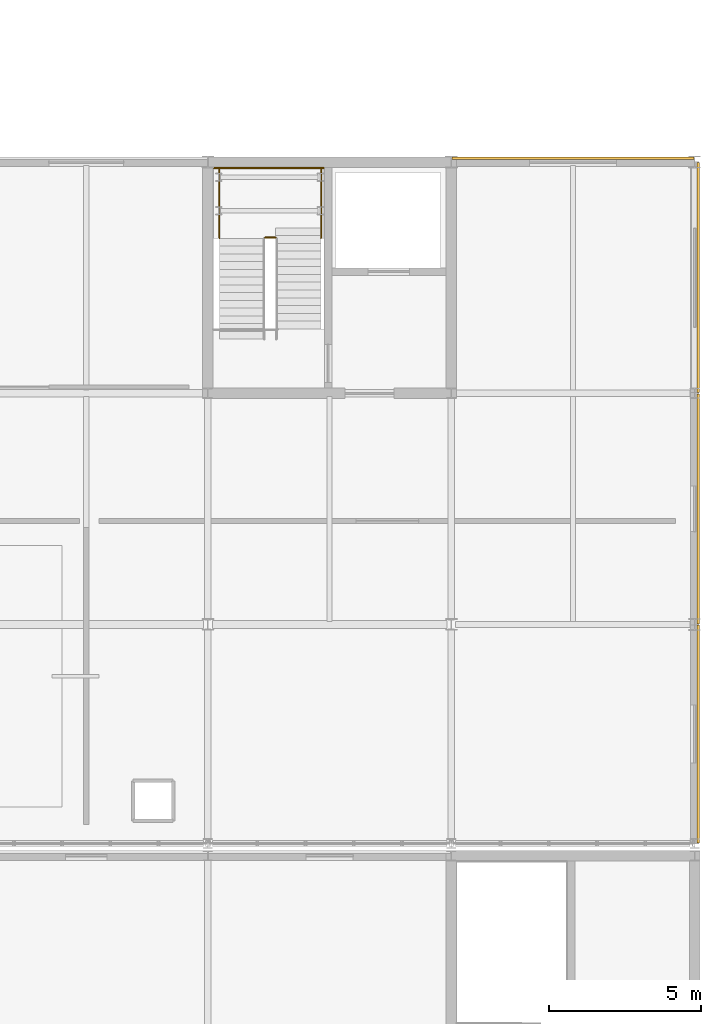
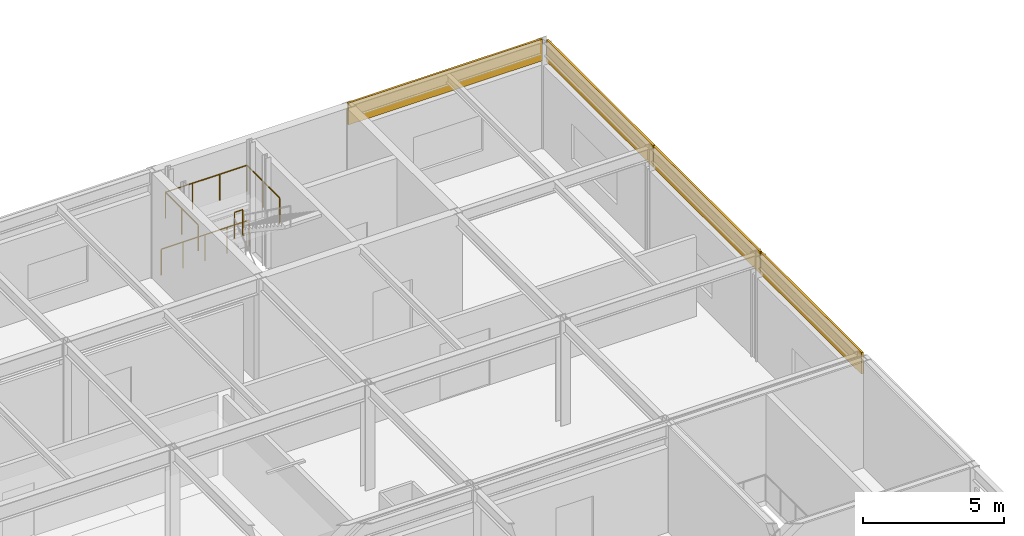
# One storey, part 104 of 104: 4 coverings, 3 railings.
"""IFC4 building model written with IfcOpenShell, lengths in metres."""

from ifc_helpers import new_model, si_unit, direction, frame, origin, origin_2d, place, context, subcontext, project, spatial, rectangle, circle, extrude, material, layer, layer_set, type_object, element, save


model = new_model("IFC4")

# Units and contexts
model_context = context("Model", 3, precision=1e-05, world=origin(), true_north=direction((0.0, 1.0)))
body_context = subcontext(model_context, "Body", "Model", "MODEL_VIEW")
ifc_project = project(units=[si_unit("LENGTHUNIT", "METRE"), si_unit("AREAUNIT", "SQUARE_METRE"), si_unit("VOLUMEUNIT", "CUBIC_METRE"), si_unit("PLANEANGLEUNIT", "RADIAN"), si_unit("MASSUNIT", "GRAM", prefix="KILO")], contexts=[model_context])

# Site, building, storey
site_placement = place(None, origin())
site = spatial("IfcSite", under=ifc_project, at=site_placement, CompositionType="ELEMENT")
building_placement = place(site_placement, origin())
building = spatial("IfcBuilding", under=site, at=building_placement, Name="Zulena Civic Courthouse", CompositionType="ELEMENT")
storey_placement = place(building_placement, frame((0.0, 0.0, 15.60009765625)))
storey = spatial("IfcBuildingStorey", under=building, at=storey_placement, Name="L03", CompositionType="ELEMENT", Elevation=15.60009765625)

# Railings
ifc_material_1 = material(Name="Brushed architectural steel ASTM A36", Category="steel")
railing_type = type_object("IfcRailingType", Name="InteriorGuardrail_1150", PredefinedType="GUARDRAIL", material=ifc_material_1)
railing_1_placement = place(storey_placement, frame((156.199951171875, 53.010009765625, 0.0)))
element("IfcRailing", 1, at=railing_1_placement, inside=storey, type_object=railing_type, Name="gr:wellN:K3B:L02", PredefinedType="GUARDRAIL", context=body_context, shape_type="SweptSolid", body=[
    extrude(circle(Radius=0.02392578125, at=origin_2d()), frame((0.00390625, 0.0, 1.1259765625), z_axis=(1.0, 0.0, 0.0), x_axis=(0.0, 1.0, 0.0)), (0.0, 0.0, 1.0), 3.592041015625),
    extrude(circle(Radius=0.02099609375, at=origin_2d()), origin(), (0.0, 0.0, 1.0), 1.097900390625),
    extrude(circle(Radius=0.02099609375, at=origin_2d()), frame((0.89990234375, 0.0, 0.0)), (0.0, 0.0, 1.0), 1.097900390625),
    extrude(circle(Radius=0.02099609375, at=origin_2d()), frame((1.800048828125, 0.0, 0.0)), (0.0, 0.0, 1.0), 1.097900390625),
    extrude(circle(Radius=0.02099609375, at=origin_2d()), frame((2.7001953125, 0.0, 0.0)), (0.0, 0.0, 1.0), 1.097900390625),
    extrude(circle(Radius=0.02099609375, at=origin_2d()), frame((3.60009765625, 0.0, 0.0)), (0.0, 0.0, 1.0), 1.097900390625),
])
railing_2_placement = place(storey_placement, frame((156.3798828125, 50.694580078125, 2.39990234375)))
element("IfcRailing", 2, at=railing_2_placement, inside=storey, type_object=railing_type, Name="gr:lnd:K3B:L03", PredefinedType="GUARDRAIL", context=body_context, shape_type="SweptSolid", body=[
    extrude(circle(Radius=0.02392578125, at=origin_2d()), frame((0.0, 0.00390625, 1.1259765625), z_axis=(0.0, 1.0, 0.0), x_axis=(-1.0, 0.0, 0.0)), (0.0, 0.0, 1.0), 2.3173828125),
    extrude(circle(Radius=0.02392578125, at=origin_2d()), frame((0.00390625, 2.325439453125, 1.1259765625), z_axis=(1.0, 0.0, 0.0), x_axis=(0.0, 1.0, 0.0)), (0.0, 0.0, 1.0), 3.33203125),
    extrude(circle(Radius=0.02392578125, at=origin_2d()), frame((3.340087890625, 2.321533203125, 1.1259765625), z_axis=(0.0, -1.0, 0.0), x_axis=(1.0, 0.0, 0.0)), (0.0, 0.0, 1.0), 2.3173828125),
    extrude(circle(Radius=0.02099609375, at=origin_2d()), origin(), (0.0, 0.0, 1.0), 1.097900390625),
    extrude(circle(Radius=0.02099609375, at=origin_2d()), frame((0.0, 1.16259765625, 0.0)), (0.0, 0.0, 1.0), 1.097900390625),
    extrude(circle(Radius=0.02099609375, at=origin_2d()), frame((0.0, 2.325439453125, 0.0)), (0.0, 0.0, 1.0), 1.097900390625),
    extrude(circle(Radius=0.02099609375, at=origin_2d()), frame((1.11328125, 2.325439453125, 0.0)), (0.0, 0.0, 1.0), 1.097900390625),
    extrude(circle(Radius=0.02099609375, at=origin_2d()), frame((2.226806640625, 2.325439453125, 0.0)), (0.0, 0.0, 1.0), 1.097900390625),
    extrude(circle(Radius=0.02099609375, at=origin_2d()), frame((3.340087890625, 2.325439453125, 0.0)), (0.0, 0.0, 1.0), 1.097900390625),
    extrude(circle(Radius=0.02099609375, at=origin_2d()), frame((3.340087890625, 1.16259765625, 0.0)), (0.0, 0.0, 1.0), 1.097900390625),
    extrude(circle(Radius=0.02099609375, at=origin_2d()), frame((3.340087890625, 0.0, 0.0)), (0.0, 0.0, 1.0), 1.097900390625),
])
railing_3_placement = place(storey_placement, frame((157.8798828125, 50.715087890625, 2.39990234375)))
element("IfcRailing", 3, at=railing_3_placement, inside=storey, type_object=railing_type, Name="gr:lndslot:K3B:L03", PredefinedType="GUARDRAIL", context=body_context, shape_type="SweptSolid", body=[
    extrude(circle(Radius=0.02392578125, at=origin_2d()), frame((0.00390625, 0.0, 1.1259765625), z_axis=(1.0, 0.0, 0.0), x_axis=(0.0, 1.0, 0.0)), (0.0, 0.0, 1.0), 0.33203125),
    extrude(circle(Radius=0.02099609375, at=origin_2d()), origin(), (0.0, 0.0, 1.0), 1.097900390625),
    extrude(circle(Radius=0.02099609375, at=origin_2d()), frame((0.340087890625, 0.0, 0.0)), (0.0, 0.0, 1.0), 1.097900390625),
])

# Coverings
ifc_material_2 = material(Name="White architectural precast concrete C40/50", Category="concrete")
ifc_layer = layer(ifc_material_2, 0.0849609375)
ifc_layer_set = layer_set([ifc_layer], Name="White architectural precast concrete C40/50")
covering_type = type_object("IfcCoveringType", Name="PrecastSpandrelCladding_85", PredefinedType="CLADDING", material=ifc_layer_set)
covering_1_placement = place(storey_placement, frame((168.0, 53.320068359375, 3.60498046875), z_axis=(0.0, 0.0, 1.0), x_axis=(1.0, 0.0, 0.0)))
element("IfcCovering", 4, at=covering_1_placement, inside=storey, type_object=covering_type, Name="clad:sp:V3:L03:1:5", PredefinedType="CLADDING", context=body_context, shape_type="SweptSolid", body=[
    extrude(rectangle(XDim=7.9599609375, YDim=0.0849609375, at=origin_2d()), origin(), (0.0, 0.0, 1.0), 0.93994140625),
])
for number, where, z_axis, x_axis, name in (
    (5, (172.1201171875, 49.39990234375, 3.60498046875), (0.0, 0.0, 1.0), (0.0, -1.0, 0.0), "clad:sp:V3:L03:2:0"),
    (6, (172.1201171875, 41.800048828125, 3.60498046875), (0.0, 0.0, 1.0), (0.0, -1.0, 0.0), "clad:sp:V3:L03:2:1"),
):
    element("IfcCovering", number, at=place(storey_placement, frame(where, z_axis=z_axis, x_axis=x_axis)), inside=storey, type_object=covering_type, Name=name, PredefinedType="CLADDING", context=body_context, shape_type="SweptSolid", body=[
        extrude(rectangle(XDim=7.56005859375, YDim=0.0849609375, at=origin_2d()), origin(), (0.0, 0.0, 1.0), 0.93994140625),
    ])
covering_2_placement = place(storey_placement, frame((172.1201171875, 34.39990234375, 3.60498046875), z_axis=(0.0, 0.0, 1.0), x_axis=(0.0, -1.0, 0.0)))
element("IfcCovering", 7, at=covering_2_placement, inside=storey, type_object=covering_type, Name="clad:sp:V3:L03:2:2", PredefinedType="CLADDING", context=body_context, shape_type="SweptSolid", body=[
    extrude(rectangle(XDim=7.159912109375, YDim=0.0849609375, at=origin_2d()), origin(), (0.0, 0.0, 1.0), 0.93994140625),
])

save(model, "model.ifc")
